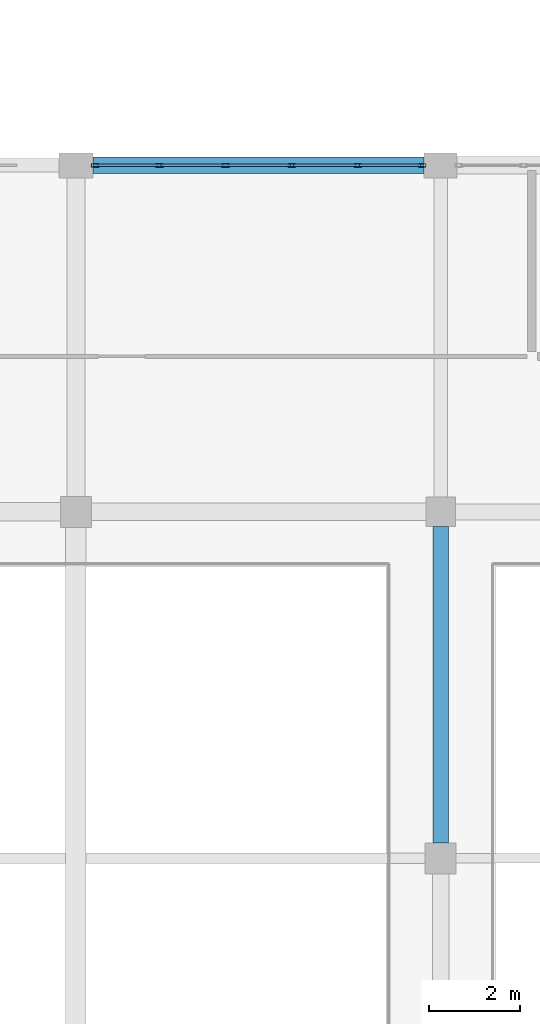
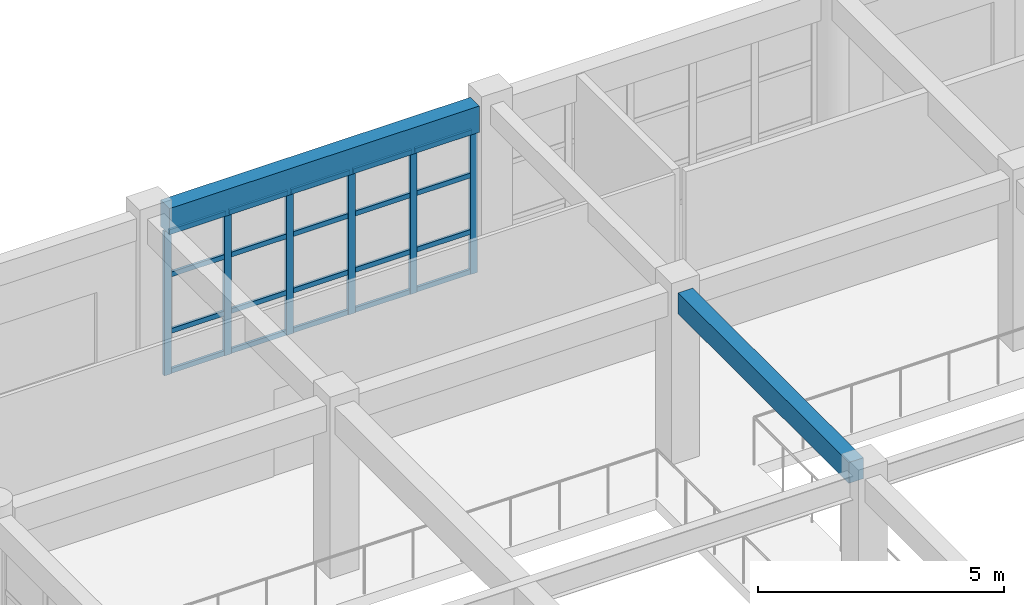
# One storey, part 42 of 160: 26 members, 2 beams, 1 element without a shape of its own.
"""IFC4 building model written with IfcOpenShell, lengths in metres."""

from ifc_helpers import new_model, si_unit, direction, frame, origin, origin_2d, place, context, subcontext, project, spatial, rectangle, hollow_rectangle, extrude, material, material_profile, profile_set, type_object, element, aggregate, save


model = new_model("IFC4")

# Units and contexts
model_context = context("Model", 3, precision=1e-05, world=origin(), true_north=direction((0.0, 1.0)))
body_context = subcontext(model_context, "Body", "Model", "MODEL_VIEW")
ifc_project = project(units=[si_unit("LENGTHUNIT", "METRE"), si_unit("AREAUNIT", "SQUARE_METRE"), si_unit("VOLUMEUNIT", "CUBIC_METRE"), si_unit("PLANEANGLEUNIT", "RADIAN"), si_unit("MASSUNIT", "GRAM", prefix="KILO")], contexts=[model_context])

# Site, building, storey
site_placement = place(None, origin())
site = spatial("IfcSite", under=ifc_project, at=site_placement, CompositionType="ELEMENT")
building_placement = place(site_placement, origin())
building = spatial("IfcBuilding", under=site, at=building_placement, Name="Kharva Crest Polytechnic", CompositionType="ELEMENT")
storey_placement = place(building_placement, frame((0.0, 0.0, 4.5)))
storey = spatial("IfcBuildingStorey", under=building, at=storey_placement, Name="L01", CompositionType="ELEMENT", Elevation=4.5)

# Beam
ifc_material_1 = material(Name="Concrete C35/45", Category="concrete")
ifc_material_profile_1 = material_profile(ifc_material_1, rectangle(XDim=0.340087890625, YDim=0.52001953125, at=origin_2d()), Name="RECT 340 X 520")
ifc_profile_set_1 = profile_set([ifc_material_profile_1], Name="Concrete C35/45")
beam_type_1 = type_object("IfcBeamType", Name="BM-RC-340X520", PredefinedType="BEAM", material=ifc_profile_set_1)
beam_1_placement = place(storey_placement, frame((16.0, 15.5400390625, 3.9599609375), z_axis=(0.0, 1.0, 0.0), x_axis=(-1.0, 0.0, 0.0)))
element("IfcBeam", 1, at=beam_1_placement, inside=storey, type_object=beam_type_1, Name="L01 Girder 3/C-D", PredefinedType="BEAM", context=body_context, shape_type="SweptSolid", body=[
    extrude(rectangle(XDim=0.340087890625, YDim=0.52001953125, at=origin_2d()), origin(), (0.0, 0.0, 1.0), 6.93505859375),
])

# Curtain wall, members
ifc_material_2 = material(Name="Tempered insulated glass", Category="glass")
curtain_wall_type = type_object("IfcCurtainWallType", Name="CW-SYS-COURT", PredefinedType="USERDEFINED", material=ifc_material_2)
curtain_wall_placement = place(storey_placement, origin())
curtain_wall = element("IfcCurtainWall", 2, at=curtain_wall_placement, inside=storey, type_object=curtain_wall_type, Name="L01 Glazed Curtain Wall CW-039", ObjectType="CURTAIN WALL", PredefinedType="USERDEFINED")
ifc_material_3 = material(Name="Steel S355", Category="steel")
ifc_material_profile_2 = material_profile(ifc_material_3, hollow_rectangle(XDim=0.080078125, YDim=0.159912109375, WallThickness=0.0048828125, at=origin_2d()), Name="RHS 160X80X5.0")
ifc_profile_set_2 = profile_set([ifc_material_profile_2], Name="Steel S355")
member_type_1 = type_object("IfcMemberType", Name="CWM-RHS160X80", PredefinedType="MULLION", material=ifc_profile_set_2)
member_1_placement = place(storey_placement, frame((15.594970703125, 30.39990234375, 0.0), z_axis=(0.0, 0.0, 1.0), x_axis=(0.0, -1.0, 0.0)))
member_1 = element("IfcMember", 3, at=member_1_placement, type_object=member_type_1, Name="CW-039 mullion 1", PredefinedType="MULLION", context=body_context, shape_type="SweptSolid", body=[
    extrude(hollow_rectangle(XDim=0.080078125, YDim=0.159912109375, WallThickness=0.0048828125, at=origin_2d()), origin(), (0.0, 0.0, 1.0), 3.570068359375),
])
member_2_placement = place(storey_placement, frame((14.18408203125, 30.39990234375, 0.0), z_axis=(0.0, 0.0, 1.0), x_axis=(0.0, -1.0, 0.0)))
member_2 = element("IfcMember", 4, at=member_2_placement, type_object=member_type_1, Name="CW-039 mullion 2", PredefinedType="MULLION", context=body_context, shape_type="SweptSolid", body=[
    extrude(hollow_rectangle(XDim=0.080078125, YDim=0.159912109375, WallThickness=0.0048828125, at=origin_2d()), origin(), (0.0, 0.0, 1.0), 3.570068359375),
])
member_3_placement = place(storey_placement, frame((12.73291015625, 30.39990234375, 0.0), z_axis=(0.0, 0.0, 1.0), x_axis=(0.0, -1.0, 0.0)))
member_3 = element("IfcMember", 5, at=member_3_placement, type_object=member_type_1, Name="CW-039 mullion 3", PredefinedType="MULLION", context=body_context, shape_type="SweptSolid", body=[
    extrude(hollow_rectangle(XDim=0.080078125, YDim=0.159912109375, WallThickness=0.0048828125, at=origin_2d()), origin(), (0.0, 0.0, 1.0), 3.570068359375),
])
member_4_placement = place(storey_placement, frame((11.281982421875, 30.39990234375, 0.0), z_axis=(0.0, 0.0, 1.0), x_axis=(0.0, -1.0, 0.0)))
member_4 = element("IfcMember", 6, at=member_4_placement, type_object=member_type_1, Name="CW-039 mullion 4", PredefinedType="MULLION", context=body_context, shape_type="SweptSolid", body=[
    extrude(hollow_rectangle(XDim=0.080078125, YDim=0.159912109375, WallThickness=0.0048828125, at=origin_2d()), origin(), (0.0, 0.0, 1.0), 3.570068359375),
])
member_5_placement = place(storey_placement, frame((9.8310546875, 30.39990234375, 0.0), z_axis=(0.0, 0.0, 1.0), x_axis=(0.0, -1.0, 0.0)))
member_5 = element("IfcMember", 7, at=member_5_placement, type_object=member_type_1, Name="CW-039 mullion 5", PredefinedType="MULLION", context=body_context, shape_type="SweptSolid", body=[
    extrude(hollow_rectangle(XDim=0.080078125, YDim=0.159912109375, WallThickness=0.0048828125, at=origin_2d()), origin(), (0.0, 0.0, 1.0), 3.570068359375),
])
member_6_placement = place(storey_placement, frame((8.419921875, 30.39990234375, 0.0), z_axis=(0.0, 0.0, 1.0), x_axis=(0.0, -1.0, 0.0)))
member_6 = element("IfcMember", 8, at=member_6_placement, type_object=member_type_1, Name="CW-039 mullion 6", PredefinedType="MULLION", context=body_context, shape_type="SweptSolid", body=[
    extrude(hollow_rectangle(XDim=0.080078125, YDim=0.159912109375, WallThickness=0.0048828125, at=origin_2d()), origin(), (0.0, 0.0, 1.0), 3.570068359375),
])
ifc_material_profile_3 = material_profile(ifc_material_3, hollow_rectangle(XDim=0.06005859375, YDim=0.1201171875, WallThickness=0.00390625, at=origin_2d()), Name="RHS 120X60X4.0")
ifc_profile_set_3 = profile_set([ifc_material_profile_3], Name="Steel S355")
member_type_2 = type_object("IfcMemberType", Name="CWT-RHS120X60", PredefinedType="USERDEFINED", material=ifc_profile_set_3)
member_7_placement = place(storey_placement, frame((15.554931640625, 30.39990234375, 0.06005859375), z_axis=(-1.0, 0.0, 0.0), x_axis=(0.0, -1.0, 0.0)))
member_7 = element("IfcMember", 9, at=member_7_placement, type_object=member_type_2, Name="CW-039 transom 1.1", ObjectType="TRANSOM", PredefinedType="USERDEFINED", context=body_context, shape_type="SweptSolid", body=[
    extrude(hollow_rectangle(XDim=0.06005859375, YDim=0.1201171875, WallThickness=0.00390625, at=origin_2d()), origin(), (0.0, 0.0, 1.0), 1.330810546875),
])
member_8_placement = place(storey_placement, frame((15.554931640625, 30.39990234375, 1.050048828125), z_axis=(-1.0, 0.0, 0.0), x_axis=(0.0, -1.0, 0.0)))
member_8 = element("IfcMember", 10, at=member_8_placement, type_object=member_type_2, Name="CW-039 transom 1.2", ObjectType="TRANSOM", PredefinedType="USERDEFINED", context=body_context, shape_type="SweptSolid", body=[
    extrude(hollow_rectangle(XDim=0.06005859375, YDim=0.1201171875, WallThickness=0.00390625, at=origin_2d()), origin(), (0.0, 0.0, 1.0), 1.330810546875),
])
member_9_placement = place(storey_placement, frame((15.554931640625, 30.39990234375, 2.449951171875), z_axis=(-1.0, 0.0, 0.0), x_axis=(0.0, -1.0, 0.0)))
member_9 = element("IfcMember", 11, at=member_9_placement, type_object=member_type_2, Name="CW-039 transom 1.3", ObjectType="TRANSOM", PredefinedType="USERDEFINED", context=body_context, shape_type="SweptSolid", body=[
    extrude(hollow_rectangle(XDim=0.06005859375, YDim=0.1201171875, WallThickness=0.00390625, at=origin_2d()), origin(), (0.0, 0.0, 1.0), 1.330810546875),
])
member_10_placement = place(storey_placement, frame((15.554931640625, 30.39990234375, 3.510009765625), z_axis=(-1.0, 0.0, 0.0), x_axis=(0.0, -1.0, 0.0)))
member_10 = element("IfcMember", 12, at=member_10_placement, type_object=member_type_2, Name="CW-039 transom 1.4", ObjectType="TRANSOM", PredefinedType="USERDEFINED", context=body_context, shape_type="SweptSolid", body=[
    extrude(hollow_rectangle(XDim=0.06005859375, YDim=0.1201171875, WallThickness=0.00390625, at=origin_2d()), origin(), (0.0, 0.0, 1.0), 1.330810546875),
])
member_11_placement = place(storey_placement, frame((14.14404296875, 30.39990234375, 0.06005859375), z_axis=(-1.0, 0.0, 0.0), x_axis=(0.0, -1.0, 0.0)))
member_11 = element("IfcMember", 13, at=member_11_placement, type_object=member_type_2, Name="CW-039 transom 2.1", ObjectType="TRANSOM", PredefinedType="USERDEFINED", context=body_context, shape_type="SweptSolid", body=[
    extrude(hollow_rectangle(XDim=0.06005859375, YDim=0.1201171875, WallThickness=0.00390625, at=origin_2d()), origin(), (0.0, 0.0, 1.0), 1.37109375),
])
member_12_placement = place(storey_placement, frame((14.14404296875, 30.39990234375, 1.050048828125), z_axis=(-1.0, 0.0, 0.0), x_axis=(0.0, -1.0, 0.0)))
member_12 = element("IfcMember", 14, at=member_12_placement, type_object=member_type_2, Name="CW-039 transom 2.2", ObjectType="TRANSOM", PredefinedType="USERDEFINED", context=body_context, shape_type="SweptSolid", body=[
    extrude(hollow_rectangle(XDim=0.06005859375, YDim=0.1201171875, WallThickness=0.00390625, at=origin_2d()), origin(), (0.0, 0.0, 1.0), 1.37109375),
])
member_13_placement = place(storey_placement, frame((14.14404296875, 30.39990234375, 2.449951171875), z_axis=(-1.0, 0.0, 0.0), x_axis=(0.0, -1.0, 0.0)))
member_13 = element("IfcMember", 15, at=member_13_placement, type_object=member_type_2, Name="CW-039 transom 2.3", ObjectType="TRANSOM", PredefinedType="USERDEFINED", context=body_context, shape_type="SweptSolid", body=[
    extrude(hollow_rectangle(XDim=0.06005859375, YDim=0.1201171875, WallThickness=0.00390625, at=origin_2d()), origin(), (0.0, 0.0, 1.0), 1.37109375),
])
member_14_placement = place(storey_placement, frame((14.14404296875, 30.39990234375, 3.510009765625), z_axis=(-1.0, 0.0, 0.0), x_axis=(0.0, -1.0, 0.0)))
member_14 = element("IfcMember", 16, at=member_14_placement, type_object=member_type_2, Name="CW-039 transom 2.4", ObjectType="TRANSOM", PredefinedType="USERDEFINED", context=body_context, shape_type="SweptSolid", body=[
    extrude(hollow_rectangle(XDim=0.06005859375, YDim=0.1201171875, WallThickness=0.00390625, at=origin_2d()), origin(), (0.0, 0.0, 1.0), 1.37109375),
])
member_15_placement = place(storey_placement, frame((12.693115234375, 30.39990234375, 0.06005859375), z_axis=(-1.0, 0.0, 0.0), x_axis=(0.0, -1.0, 0.0)))
member_15 = element("IfcMember", 17, at=member_15_placement, type_object=member_type_2, Name="CW-039 transom 3.1", ObjectType="TRANSOM", PredefinedType="USERDEFINED", context=body_context, shape_type="SweptSolid", body=[
    extrude(hollow_rectangle(XDim=0.06005859375, YDim=0.1201171875, WallThickness=0.00390625, at=origin_2d()), origin(), (0.0, 0.0, 1.0), 1.37109375),
])
member_16_placement = place(storey_placement, frame((12.693115234375, 30.39990234375, 1.050048828125), z_axis=(-1.0, 0.0, 0.0), x_axis=(0.0, -1.0, 0.0)))
member_16 = element("IfcMember", 18, at=member_16_placement, type_object=member_type_2, Name="CW-039 transom 3.2", ObjectType="TRANSOM", PredefinedType="USERDEFINED", context=body_context, shape_type="SweptSolid", body=[
    extrude(hollow_rectangle(XDim=0.06005859375, YDim=0.1201171875, WallThickness=0.00390625, at=origin_2d()), origin(), (0.0, 0.0, 1.0), 1.37109375),
])
member_17_placement = place(storey_placement, frame((12.693115234375, 30.39990234375, 2.449951171875), z_axis=(-1.0, 0.0, 0.0), x_axis=(0.0, -1.0, 0.0)))
member_17 = element("IfcMember", 19, at=member_17_placement, type_object=member_type_2, Name="CW-039 transom 3.3", ObjectType="TRANSOM", PredefinedType="USERDEFINED", context=body_context, shape_type="SweptSolid", body=[
    extrude(hollow_rectangle(XDim=0.06005859375, YDim=0.1201171875, WallThickness=0.00390625, at=origin_2d()), origin(), (0.0, 0.0, 1.0), 1.37109375),
])
member_18_placement = place(storey_placement, frame((12.693115234375, 30.39990234375, 3.510009765625), z_axis=(-1.0, 0.0, 0.0), x_axis=(0.0, -1.0, 0.0)))
member_18 = element("IfcMember", 20, at=member_18_placement, type_object=member_type_2, Name="CW-039 transom 3.4", ObjectType="TRANSOM", PredefinedType="USERDEFINED", context=body_context, shape_type="SweptSolid", body=[
    extrude(hollow_rectangle(XDim=0.06005859375, YDim=0.1201171875, WallThickness=0.00390625, at=origin_2d()), origin(), (0.0, 0.0, 1.0), 1.37109375),
])
member_19_placement = place(storey_placement, frame((11.241943359375, 30.39990234375, 0.06005859375), z_axis=(-1.0, 0.0, 0.0), x_axis=(0.0, -1.0, 0.0)))
member_19 = element("IfcMember", 21, at=member_19_placement, type_object=member_type_2, Name="CW-039 transom 4.1", ObjectType="TRANSOM", PredefinedType="USERDEFINED", context=body_context, shape_type="SweptSolid", body=[
    extrude(hollow_rectangle(XDim=0.06005859375, YDim=0.1201171875, WallThickness=0.00390625, at=origin_2d()), origin(), (0.0, 0.0, 1.0), 1.370849609375),
])
member_20_placement = place(storey_placement, frame((11.241943359375, 30.39990234375, 1.050048828125), z_axis=(-1.0, 0.0, 0.0), x_axis=(0.0, -1.0, 0.0)))
member_20 = element("IfcMember", 22, at=member_20_placement, type_object=member_type_2, Name="CW-039 transom 4.2", ObjectType="TRANSOM", PredefinedType="USERDEFINED", context=body_context, shape_type="SweptSolid", body=[
    extrude(hollow_rectangle(XDim=0.06005859375, YDim=0.1201171875, WallThickness=0.00390625, at=origin_2d()), origin(), (0.0, 0.0, 1.0), 1.370849609375),
])
member_21_placement = place(storey_placement, frame((11.241943359375, 30.39990234375, 2.449951171875), z_axis=(-1.0, 0.0, 0.0), x_axis=(0.0, -1.0, 0.0)))
member_21 = element("IfcMember", 23, at=member_21_placement, type_object=member_type_2, Name="CW-039 transom 4.3", ObjectType="TRANSOM", PredefinedType="USERDEFINED", context=body_context, shape_type="SweptSolid", body=[
    extrude(hollow_rectangle(XDim=0.06005859375, YDim=0.1201171875, WallThickness=0.00390625, at=origin_2d()), origin(), (0.0, 0.0, 1.0), 1.370849609375),
])
member_22_placement = place(storey_placement, frame((11.241943359375, 30.39990234375, 3.510009765625), z_axis=(-1.0, 0.0, 0.0), x_axis=(0.0, -1.0, 0.0)))
member_22 = element("IfcMember", 24, at=member_22_placement, type_object=member_type_2, Name="CW-039 transom 4.4", ObjectType="TRANSOM", PredefinedType="USERDEFINED", context=body_context, shape_type="SweptSolid", body=[
    extrude(hollow_rectangle(XDim=0.06005859375, YDim=0.1201171875, WallThickness=0.00390625, at=origin_2d()), origin(), (0.0, 0.0, 1.0), 1.370849609375),
])
member_23_placement = place(storey_placement, frame((9.791015625, 30.39990234375, 0.06005859375), z_axis=(-1.0, 0.0, 0.0), x_axis=(0.0, -1.0, 0.0)))
member_23 = element("IfcMember", 25, at=member_23_placement, type_object=member_type_2, Name="CW-039 transom 5.1", ObjectType="TRANSOM", PredefinedType="USERDEFINED", context=body_context, shape_type="SweptSolid", body=[
    extrude(hollow_rectangle(XDim=0.06005859375, YDim=0.1201171875, WallThickness=0.00390625, at=origin_2d()), origin(), (0.0, 0.0, 1.0), 1.3310546875),
])
member_24_placement = place(storey_placement, frame((9.791015625, 30.39990234375, 1.050048828125), z_axis=(-1.0, 0.0, 0.0), x_axis=(0.0, -1.0, 0.0)))
member_24 = element("IfcMember", 26, at=member_24_placement, type_object=member_type_2, Name="CW-039 transom 5.2", ObjectType="TRANSOM", PredefinedType="USERDEFINED", context=body_context, shape_type="SweptSolid", body=[
    extrude(hollow_rectangle(XDim=0.06005859375, YDim=0.1201171875, WallThickness=0.00390625, at=origin_2d()), origin(), (0.0, 0.0, 1.0), 1.3310546875),
])
member_25_placement = place(storey_placement, frame((9.791015625, 30.39990234375, 2.449951171875), z_axis=(-1.0, 0.0, 0.0), x_axis=(0.0, -1.0, 0.0)))
member_25 = element("IfcMember", 27, at=member_25_placement, type_object=member_type_2, Name="CW-039 transom 5.3", ObjectType="TRANSOM", PredefinedType="USERDEFINED", context=body_context, shape_type="SweptSolid", body=[
    extrude(hollow_rectangle(XDim=0.06005859375, YDim=0.1201171875, WallThickness=0.00390625, at=origin_2d()), origin(), (0.0, 0.0, 1.0), 1.3310546875),
])
member_26_placement = place(storey_placement, frame((9.791015625, 30.39990234375, 3.510009765625), z_axis=(-1.0, 0.0, 0.0), x_axis=(0.0, -1.0, 0.0)))
member_26 = element("IfcMember", 28, at=member_26_placement, type_object=member_type_2, Name="CW-039 transom 5.4", ObjectType="TRANSOM", PredefinedType="USERDEFINED", context=body_context, shape_type="SweptSolid", body=[
    extrude(hollow_rectangle(XDim=0.06005859375, YDim=0.1201171875, WallThickness=0.00390625, at=origin_2d()), origin(), (0.0, 0.0, 1.0), 1.3310546875),
])
aggregate(curtain_wall, [member_1, member_2, member_3, member_4, member_5, member_6, member_7, member_8, member_9, member_10, member_11, member_12, member_13, member_14, member_15, member_16, member_17, member_18, member_19, member_20, member_21, member_22, member_23, member_24, member_25, member_26])

# Beam
ifc_material_profile_4 = material_profile(ifc_material_1, rectangle(XDim=0.360107421875, YDim=0.64990234375, at=origin_2d()), Name="RECT 360 X 650")
ifc_profile_set_4 = profile_set([ifc_material_profile_4], Name="Concrete C35/45")
beam_type_2 = type_object("IfcBeamType", Name="SP-RC-360X650", PredefinedType="SPANDREL", material=ifc_profile_set_4)
beam_2_placement = place(storey_placement, frame((8.375, 30.39990234375, 3.89501953125), z_axis=(1.0, 0.0, 0.0), x_axis=(0.0, 1.0, 0.0)))
element("IfcBeam", 29, at=beam_2_placement, inside=storey, type_object=beam_type_2, Name="L01 Beam E/2-3", PredefinedType="SPANDREL", context=body_context, shape_type="SweptSolid", body=[
    extrude(rectangle(XDim=0.360107421875, YDim=0.64990234375, at=origin_2d()), origin(), (0.0, 0.0, 1.0), 7.264892578125),
])

save(model, "model.ifc")
